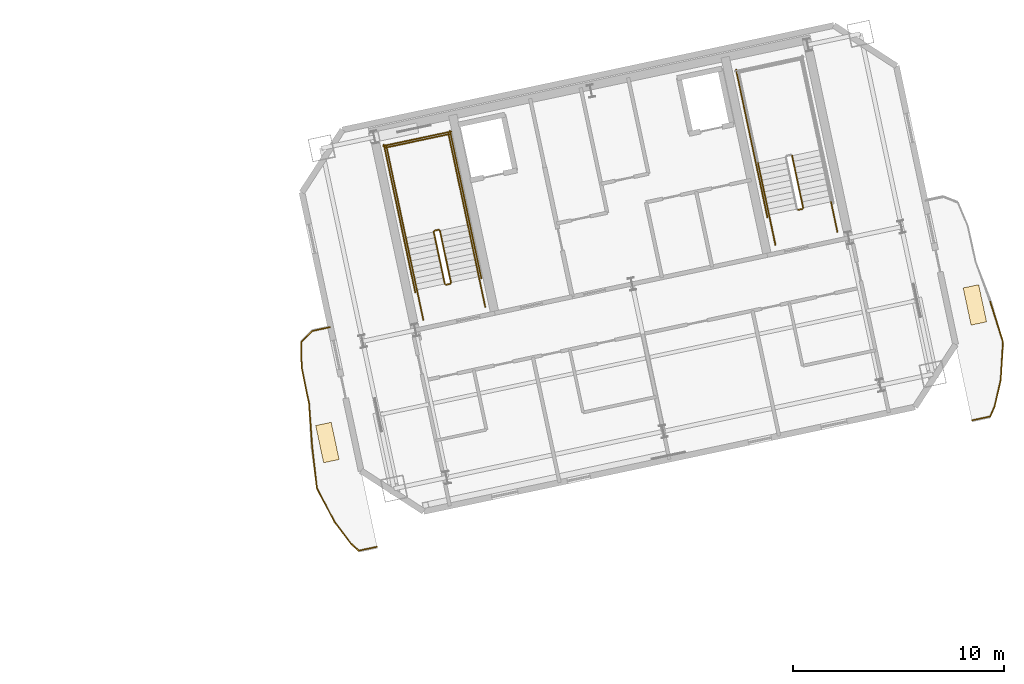
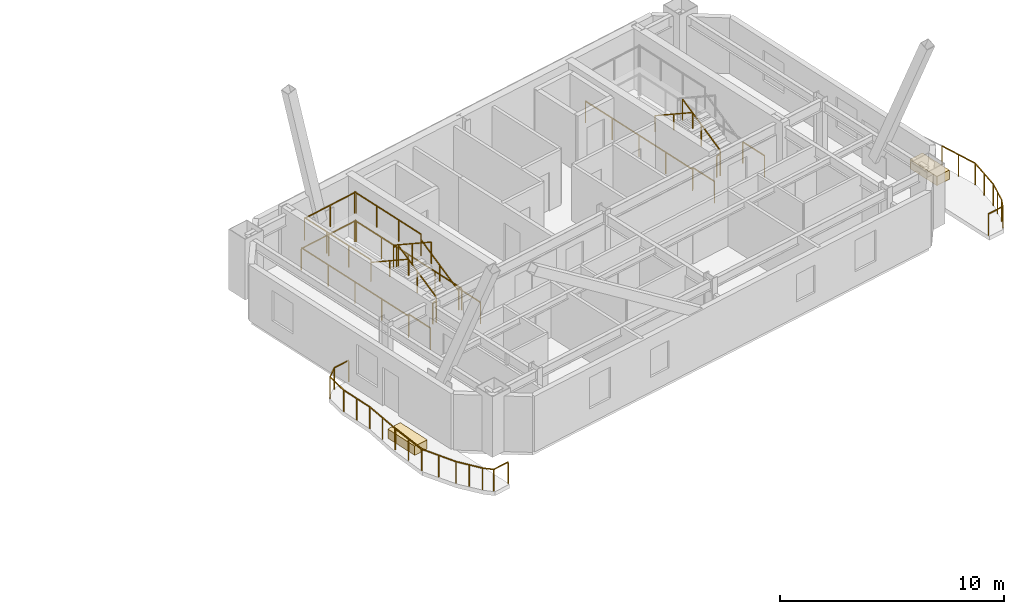
# One storey, part 12 of 13: 35 railings, 2 coverings.
"""IFC4 building model written with IfcOpenShell, lengths in metres."""

from ifc_helpers import new_model, si_unit, direction, frame, origin, origin_2d, place, context, subcontext, project, spatial, rectangle, extrude, material, layer, layer_set, type_object, element, save


model = new_model("IFC4")

# Units and contexts
model_context = context("Model", 3, precision=1e-05, world=origin(), true_north=direction((0.0, 1.0)))
body_context = subcontext(model_context, "Body", "Model", "MODEL_VIEW")
ifc_project = project(units=[si_unit("LENGTHUNIT", "METRE"), si_unit("AREAUNIT", "SQUARE_METRE"), si_unit("VOLUMEUNIT", "CUBIC_METRE"), si_unit("PLANEANGLEUNIT", "RADIAN"), si_unit("MASSUNIT", "GRAM", prefix="KILO")], contexts=[model_context])

# Site, building, storey
site_placement = place(None, origin())
site = spatial("IfcSite", under=ifc_project, at=site_placement, CompositionType="ELEMENT")
building_placement = place(site_placement, origin())
building = spatial("IfcBuilding", under=site, at=building_placement, Name="Haevon Station Towers", CompositionType="ELEMENT")
storey_placement = place(building_placement, frame((0.0, 0.0, 225.300048828125)))
storey = spatial("IfcBuildingStorey", under=building, at=storey_placement, Name="L62", CompositionType="ELEMENT", Elevation=225.300048828125)

# Railings
ifc_material_1 = material(Name="Steel S355", Category="steel")
railing_type_1 = type_object("IfcRailingType", Name="GRD-EXT1200", PredefinedType="GUARDRAIL", material=ifc_material_1)
railing_1_placement = place(storey_placement, frame((94.71142578125, 37.58251953125, 0.0)))
element("IfcRailing", 1, at=railing_1_placement, inside=storey, type_object=railing_type_1, Name="L62 Perimeter Guardrail 1", PredefinedType="GUARDRAIL", context=body_context, shape_type="SweptSolid", body=[
    extrude(rectangle(XDim=0.048095703125, YDim=0.048095703125, at=origin_2d()), frame((0.0, 0.0, 1.17578125), z_axis=(-0.977683060471, -0.210085299981, 0.0), x_axis=(0.210085299981, -0.977683060471, 0.0)), (0.0, 0.0, 1.0), 0.869140625),
    extrude(rectangle(XDim=0.0419921875, YDim=0.0419921875, at=origin_2d()), origin(), (0.0, 0.0, 1.0), 1.15185546875),
    extrude(rectangle(XDim=0.0419921875, YDim=0.0419921875, at=origin_2d()), frame((-0.849853515625, -0.1826171875, 0.0)), (0.0, 0.0, 1.0), 1.15185546875),
])
railing_2_placement = place(storey_placement, frame((93.861572265625, 37.39990234375, 0.0)))
element("IfcRailing", 2, at=railing_2_placement, inside=storey, type_object=railing_type_1, Name="L62 Perimeter Guardrail 2", PredefinedType="GUARDRAIL", context=body_context, shape_type="SweptSolid", body=[
    extrude(rectangle(XDim=0.048095703125, YDim=0.048095703125, at=origin_2d()), frame((0.0, 0.0, 1.17578125), z_axis=(-0.700012319638, -0.714130766985, 0.0), x_axis=(0.714130766985, -0.700012319638, 0.0)), (0.0, 0.0, 1.0), 0.74365234375),
    extrude(rectangle(XDim=0.0419921875, YDim=0.0419921875, at=origin_2d()), origin(), (0.0, 0.0, 1.0), 1.15185546875),
    extrude(rectangle(XDim=0.0419921875, YDim=0.0419921875, at=origin_2d()), frame((-0.5205078125, -0.531005859375, 0.0)), (0.0, 0.0, 1.0), 1.15185546875),
])
railing_3_placement = place(storey_placement, frame((93.341064453125, 36.868896484375, 0.0)))
element("IfcRailing", 3, at=railing_3_placement, inside=storey, type_object=railing_type_1, Name="L62 Perimeter Guardrail 3", PredefinedType="GUARDRAIL", context=body_context, shape_type="SweptSolid", body=[
    extrude(rectangle(XDim=0.048095703125, YDim=0.048095703125, at=origin_2d()), frame((0.0, 0.0, 1.17578125), z_axis=(0.018435710778, -0.999830047842, 0.0), x_axis=(0.999830047842, 0.018435710778, 0.0)), (0.0, 0.0, 1.0), 1.19189453125),
    extrude(rectangle(XDim=0.0419921875, YDim=0.0419921875, at=origin_2d()), origin(), (0.0, 0.0, 1.0), 1.15185546875),
    extrude(rectangle(XDim=0.0419921875, YDim=0.0419921875, at=origin_2d()), frame((0.02197265625, -1.191650390625, 0.0)), (0.0, 0.0, 1.0), 1.15185546875),
])
railing_4_placement = place(storey_placement, frame((93.363037109375, 35.67724609375, 0.0)))
element("IfcRailing", 4, at=railing_4_placement, inside=storey, type_object=railing_type_1, Name="L62 Perimeter Guardrail 4", PredefinedType="GUARDRAIL", context=body_context, shape_type="SweptSolid", body=[
    extrude(rectangle(XDim=0.048095703125, YDim=0.048095703125, at=origin_2d()), frame((0.0, 0.0, 1.17578125), z_axis=(0.20072790539, -0.979647032353, 0.0), x_axis=(0.979647032353, 0.20072790539, 0.0)), (0.0, 0.0, 1.0), 1.750244140625),
    extrude(rectangle(XDim=0.0419921875, YDim=0.0419921875, at=origin_2d()), origin(), (0.0, 0.0, 1.0), 1.15185546875),
    extrude(rectangle(XDim=0.0419921875, YDim=0.0419921875, at=origin_2d()), frame((0.17578125, -0.857421875, 0.0)), (0.0, 0.0, 1.0), 1.15185546875),
    extrude(rectangle(XDim=0.0419921875, YDim=0.0419921875, at=origin_2d()), frame((0.351318359375, -1.714599609375, 0.0)), (0.0, 0.0, 1.0), 1.15185546875),
])
railing_5_placement = place(storey_placement, frame((93.71435546875, 33.962646484375, 0.0)))
element("IfcRailing", 5, at=railing_5_placement, inside=storey, type_object=railing_type_1, Name="L62 Perimeter Guardrail 5", PredefinedType="GUARDRAIL", context=body_context, shape_type="SweptSolid", body=[
    extrude(rectangle(XDim=0.048095703125, YDim=0.048095703125, at=origin_2d()), frame((0.0, 0.0, 1.17578125), z_axis=(0.072603881336, -0.997360855666, 0.0), x_axis=(0.997360855666, 0.072603881336, 0.0)), (0.0, 0.0, 1.0), 2.007568359375),
    extrude(rectangle(XDim=0.0419921875, YDim=0.0419921875, at=origin_2d()), origin(), (0.0, 0.0, 1.0), 1.15185546875),
    extrude(rectangle(XDim=0.0419921875, YDim=0.0419921875, at=origin_2d()), frame((0.07275390625, -1.0009765625, 0.0)), (0.0, 0.0, 1.0), 1.15185546875),
    extrude(rectangle(XDim=0.0419921875, YDim=0.0419921875, at=origin_2d()), frame((0.145751953125, -2.002197265625, 0.0)), (0.0, 0.0, 1.0), 1.15185546875),
])
railing_6_placement = place(storey_placement, frame((93.860107421875, 31.96044921875, 0.0)))
element("IfcRailing", 6, at=railing_6_placement, inside=storey, type_object=railing_type_1, Name="L62 Perimeter Guardrail 6", PredefinedType="GUARDRAIL", context=body_context, shape_type="SweptSolid", body=[
    extrude(rectangle(XDim=0.048095703125, YDim=0.048095703125, at=origin_2d()), frame((0.0, 0.0, 1.17578125), z_axis=(0.111367614102, -0.993779278577, 0.0), x_axis=(0.993779278577, 0.111367614102, 0.0)), (0.0, 0.0, 1.0), 2.003662109375),
    extrude(rectangle(XDim=0.0419921875, YDim=0.0419921875, at=origin_2d()), origin(), (0.0, 0.0, 1.0), 1.15185546875),
    extrude(rectangle(XDim=0.0419921875, YDim=0.0419921875, at=origin_2d()), frame((0.111572265625, -0.99560546875, 0.0)), (0.0, 0.0, 1.0), 1.15185546875),
    extrude(rectangle(XDim=0.0419921875, YDim=0.0419921875, at=origin_2d()), frame((0.22314453125, -1.9912109375, 0.0)), (0.0, 0.0, 1.0), 1.15185546875),
])
railing_7_placement = place(storey_placement, frame((94.083251953125, 29.96923828125, 0.0)))
element("IfcRailing", 7, at=railing_7_placement, inside=storey, type_object=railing_type_1, Name="L62 Perimeter Guardrail 7", PredefinedType="GUARDRAIL", context=body_context, shape_type="SweptSolid", body=[
    extrude(rectangle(XDim=0.048095703125, YDim=0.048095703125, at=origin_2d()), frame((0.0, 0.0, 1.17578125), z_axis=(0.460970518106, -0.887415450303, 0.0), x_axis=(0.887415450303, 0.460970518106, 0.0)), (0.0, 0.0, 1.0), 1.810302734375),
    extrude(rectangle(XDim=0.0419921875, YDim=0.0419921875, at=origin_2d()), origin(), (0.0, 0.0, 1.0), 1.15185546875),
    extrude(rectangle(XDim=0.0419921875, YDim=0.0419921875, at=origin_2d()), frame((0.417236328125, -0.80322265625, 0.0)), (0.0, 0.0, 1.0), 1.15185546875),
    extrude(rectangle(XDim=0.0419921875, YDim=0.0419921875, at=origin_2d()), frame((0.83447265625, -1.6064453125, 0.0)), (0.0, 0.0, 1.0), 1.15185546875),
])
railing_8_placement = place(storey_placement, frame((94.917724609375, 28.36279296875, 0.0)))
element("IfcRailing", 8, at=railing_8_placement, inside=storey, type_object=railing_type_1, Name="L62 Perimeter Guardrail 8", PredefinedType="GUARDRAIL", context=body_context, shape_type="SweptSolid", body=[
    extrude(rectangle(XDim=0.048095703125, YDim=0.048095703125, at=origin_2d()), frame((0.0, 0.0, 1.17578125), z_axis=(0.602477349531, -0.798135980458, 0.0), x_axis=(0.798135980458, 0.602477349531, 0.0)), (0.0, 0.0, 1.0), 1.29150390625),
    extrude(rectangle(XDim=0.0419921875, YDim=0.0419921875, at=origin_2d()), origin(), (0.0, 0.0, 1.0), 1.15185546875),
    extrude(rectangle(XDim=0.0419921875, YDim=0.0419921875, at=origin_2d()), frame((0.38916015625, -0.515380859375, 0.0)), (0.0, 0.0, 1.0), 1.15185546875),
    extrude(rectangle(XDim=0.0419921875, YDim=0.0419921875, at=origin_2d()), frame((0.778076171875, -1.03076171875, 0.0)), (0.0, 0.0, 1.0), 1.15185546875),
])
railing_9_placement = place(storey_placement, frame((95.69580078125, 27.33203125, 0.0)))
element("IfcRailing", 9, at=railing_9_placement, inside=storey, type_object=railing_type_1, Name="L62 Perimeter Guardrail 9", PredefinedType="GUARDRAIL", context=body_context, shape_type="SweptSolid", body=[
    extrude(rectangle(XDim=0.048095703125, YDim=0.048095703125, at=origin_2d()), frame((0.0, 0.0, 1.17578125), z_axis=(0.743341898555, -0.668911669694, 0.0), x_axis=(0.668911669694, 0.743341898555, 0.0)), (0.0, 0.0, 1.0), 0.50830078125),
    extrude(rectangle(XDim=0.0419921875, YDim=0.0419921875, at=origin_2d()), origin(), (0.0, 0.0, 1.0), 1.15185546875),
    extrude(rectangle(XDim=0.0419921875, YDim=0.0419921875, at=origin_2d()), frame((0.3779296875, -0.340087890625, 0.0)), (0.0, 0.0, 1.0), 1.15185546875),
])
railing_10_placement = place(storey_placement, frame((96.07373046875, 26.991943359375, 0.0)))
element("IfcRailing", 10, at=railing_10_placement, inside=storey, type_object=railing_type_1, Name="L62 Perimeter Guardrail 10", PredefinedType="GUARDRAIL", context=body_context, shape_type="SweptSolid", body=[
    extrude(rectangle(XDim=0.048095703125, YDim=0.048095703125, at=origin_2d()), frame((0.0, 0.0, 1.17578125), z_axis=(0.978588498747, 0.205826504901, 0.0), x_axis=(-0.205826504901, 0.978588498747, 0.0)), (0.0, 0.0, 1.0), 0.869384765625),
    extrude(rectangle(XDim=0.0419921875, YDim=0.0419921875, at=origin_2d()), origin(), (0.0, 0.0, 1.0), 1.15185546875),
    extrude(rectangle(XDim=0.0419921875, YDim=0.0419921875, at=origin_2d()), frame((0.850830078125, 0.178955078125, 0.0)), (0.0, 0.0, 1.0), 1.15185546875),
])
railing_11_placement = place(storey_placement, frame((125.14111328125, 33.16845703125, 0.0)))
element("IfcRailing", 11, at=railing_11_placement, inside=storey, type_object=railing_type_1, Name="L62 Perimeter Guardrail 1", PredefinedType="GUARDRAIL", context=body_context, shape_type="SweptSolid", body=[
    extrude(rectangle(XDim=0.048095703125, YDim=0.048095703125, at=origin_2d()), frame((0.0, 0.0, 1.17578125), z_axis=(0.977683060471, 0.210085299981, 0.0), x_axis=(-0.210085299981, 0.977683060471, 0.0)), (0.0, 0.0, 1.0), 0.869140625),
    extrude(rectangle(XDim=0.0419921875, YDim=0.0419921875, at=origin_2d()), origin(), (0.0, 0.0, 1.0), 1.15185546875),
    extrude(rectangle(XDim=0.0419921875, YDim=0.0419921875, at=origin_2d()), frame((0.849853515625, 0.1826171875, 0.0)), (0.0, 0.0, 1.0), 1.15185546875),
])
railing_12_placement = place(storey_placement, frame((125.990966796875, 33.35107421875, 0.0)))
element("IfcRailing", 12, at=railing_12_placement, inside=storey, type_object=railing_type_1, Name="L62 Perimeter Guardrail 2", PredefinedType="GUARDRAIL", context=body_context, shape_type="SweptSolid", body=[
    extrude(rectangle(XDim=0.048095703125, YDim=0.048095703125, at=origin_2d()), frame((0.0, 0.0, 1.17578125), z_axis=(0.407207493805, 0.913335675964, 0.0), x_axis=(-0.913335675964, 0.407207493805, 0.0)), (0.0, 0.0, 1.0), 0.50830078125),
    extrude(rectangle(XDim=0.0419921875, YDim=0.0419921875, at=origin_2d()), origin(), (0.0, 0.0, 1.0), 1.15185546875),
    extrude(rectangle(XDim=0.0419921875, YDim=0.0419921875, at=origin_2d()), frame((0.20703125, 0.46435546875, 0.0)), (0.0, 0.0, 1.0), 1.15185546875),
])
railing_13_placement = place(storey_placement, frame((126.197998046875, 33.8154296875, 0.0)))
element("IfcRailing", 13, at=railing_13_placement, inside=storey, type_object=railing_type_1, Name="L62 Perimeter Guardrail 3", PredefinedType="GUARDRAIL", context=body_context, shape_type="SweptSolid", body=[
    extrude(rectangle(XDim=0.048095703125, YDim=0.048095703125, at=origin_2d()), frame((0.0, 0.0, 1.17578125), z_axis=(0.225729273284, 0.974190071384, 0.0), x_axis=(-0.974190071384, 0.225729273284, 0.0)), (0.0, 0.0, 1.0), 1.29150390625),
    extrude(rectangle(XDim=0.0419921875, YDim=0.0419921875, at=origin_2d()), origin(), (0.0, 0.0, 1.0), 1.15185546875),
    extrude(rectangle(XDim=0.0419921875, YDim=0.0419921875, at=origin_2d()), frame((0.145751953125, 0.62890625, 0.0)), (0.0, 0.0, 1.0), 1.15185546875),
    extrude(rectangle(XDim=0.0419921875, YDim=0.0419921875, at=origin_2d()), frame((0.29150390625, 1.258056640625, 0.0)), (0.0, 0.0, 1.0), 1.15185546875),
])
railing_14_placement = place(storey_placement, frame((126.489501953125, 35.073486328125, 0.0)))
element("IfcRailing", 14, at=railing_14_placement, inside=storey, type_object=railing_type_1, Name="L62 Perimeter Guardrail 4", PredefinedType="GUARDRAIL", context=body_context, shape_type="SweptSolid", body=[
    extrude(rectangle(XDim=0.048095703125, YDim=0.048095703125, at=origin_2d()), frame((0.0, 0.0, 1.17578125), z_axis=(0.060144905, 0.99818965653, 0.0), x_axis=(-0.99818965653, 0.060144905, 0.0)), (0.0, 0.0, 1.0), 1.810302734375),
    extrude(rectangle(XDim=0.0419921875, YDim=0.0419921875, at=origin_2d()), origin(), (0.0, 0.0, 1.0), 1.15185546875),
    extrude(rectangle(XDim=0.0419921875, YDim=0.0419921875, at=origin_2d()), frame((0.054443359375, 0.903564453125, 0.0)), (0.0, 0.0, 1.0), 1.15185546875),
    extrude(rectangle(XDim=0.0419921875, YDim=0.0419921875, at=origin_2d()), frame((0.10888671875, 1.80712890625, 0.0)), (0.0, 0.0, 1.0), 1.15185546875),
])
railing_15_placement = place(storey_placement, frame((126.598388671875, 36.880615234375, 0.0)))
element("IfcRailing", 15, at=railing_15_placement, inside=storey, type_object=railing_type_1, Name="L62 Perimeter Guardrail 5", PredefinedType="GUARDRAIL", context=body_context, shape_type="SweptSolid", body=[
    extrude(rectangle(XDim=0.048095703125, YDim=0.048095703125, at=origin_2d()), frame((0.0, 0.0, 1.17578125), z_axis=(-0.302449100455, 0.953165537372, 0.0), x_axis=(-0.953165537372, -0.302449100455, 0.0)), (0.0, 0.0, 1.0), 2.00341796875),
    extrude(rectangle(XDim=0.0419921875, YDim=0.0419921875, at=origin_2d()), origin(), (0.0, 0.0, 1.0), 1.15185546875),
    extrude(rectangle(XDim=0.0419921875, YDim=0.0419921875, at=origin_2d()), frame((-0.302978515625, 0.954833984375, 0.0)), (0.0, 0.0, 1.0), 1.15185546875),
    extrude(rectangle(XDim=0.0419921875, YDim=0.0419921875, at=origin_2d()), frame((-0.60595703125, 1.90966796875, 0.0)), (0.0, 0.0, 1.0), 1.15185546875),
])
railing_type_2 = type_object("IfcRailingType", Name="GRD-STR1200", PredefinedType="GUARDRAIL", material=ifc_material_1)
railing_16_placement = place(storey_placement, frame((100.44140625, 39.69287109375, 0.1650390625)))
element("IfcRailing", 16, at=railing_16_placement, inside=storey, type_object=railing_type_2, Name="L62 ST3 Stair Guard 1", PredefinedType="GUARDRAIL", context=body_context, shape_type="SweptSolid", body=[
    extrude(rectangle(XDim=0.048095703125, YDim=0.048095703125, at=origin_2d()), frame((0.0, 0.0, 1.17578125), z_axis=(-0.179128856099, 0.842723639875, 0.507670877349), x_axis=(-0.978147030254, -0.207914374695, 0.0)), (0.0, 0.0, 1.0), 2.9248046875),
    extrude(rectangle(XDim=0.0419921875, YDim=0.0419921875, at=origin_2d()), origin(), (0.0, 0.0, 1.0), 1.15185546875),
    extrude(rectangle(XDim=0.0419921875, YDim=0.0419921875, at=origin_2d()), frame((-0.261962890625, 1.232421875, 0.742431640625)), (0.0, 0.0, 1.0), 1.15185546875),
    extrude(rectangle(XDim=0.0419921875, YDim=0.0419921875, at=origin_2d()), frame((-0.52392578125, 2.46484375, 1.48486328125)), (0.0, 0.0, 1.0), 1.15185546875),
])
railing_17_placement = place(storey_placement, frame((99.858154296875, 42.1962890625, 1.64990234375)))
element("IfcRailing", 17, at=railing_17_placement, inside=storey, type_object=railing_type_2, Name="L62 ST3 Stair Guard 2", PredefinedType="GUARDRAIL", context=body_context, shape_type="SweptSolid", body=[
    extrude(rectangle(XDim=0.048095703125, YDim=0.048095703125, at=origin_2d()), frame((0.0, 0.0, 1.17578125), z_axis=(-0.977962931203, -0.208778603291, 0.0), x_axis=(0.208778603291, -0.977962931203, 0.0)), (0.0, 0.0, 1.0), 0.199951171875),
    extrude(rectangle(XDim=0.0419921875, YDim=0.0419921875, at=origin_2d()), origin(), (0.0, 0.0, 1.0), 1.15185546875),
    extrude(rectangle(XDim=0.0419921875, YDim=0.0419921875, at=origin_2d()), frame((-0.195556640625, -0.041748046875, 0.0)), (0.0, 0.0, 1.0), 1.15185546875),
])
railing_18_placement = place(storey_placement, frame((101.238037109375, 42.4384765625, 1.64990234375)))
element("IfcRailing", 18, at=railing_18_placement, inside=storey, type_object=railing_type_2, Name="L62 ST3 Stair Guard 3", PredefinedType="GUARDRAIL", context=body_context, shape_type="SweptSolid", body=[
    extrude(rectangle(XDim=0.048095703125, YDim=0.048095703125, at=origin_2d()), frame((0.0, 0.0, 1.17578125), z_axis=(-0.20794048909, 0.978141479029, 0.0), x_axis=(-0.978141479029, -0.20794048909, 0.0)), (0.0, 0.0, 1.0), 4.429931640625),
    extrude(rectangle(XDim=0.0419921875, YDim=0.0419921875, at=origin_2d()), origin(), (0.0, 0.0, 1.0), 1.15185546875),
    extrude(rectangle(XDim=0.0419921875, YDim=0.0419921875, at=origin_2d()), frame((-0.30712890625, 1.4443359375, 0.0)), (0.0, 0.0, 1.0), 1.15185546875),
    extrude(rectangle(XDim=0.0419921875, YDim=0.0419921875, at=origin_2d()), frame((-0.614013671875, 2.888671875, 0.0)), (0.0, 0.0, 1.0), 1.15185546875),
    extrude(rectangle(XDim=0.0419921875, YDim=0.0419921875, at=origin_2d()), frame((-0.921142578125, 4.3330078125, 0.0)), (0.0, 0.0, 1.0), 1.15185546875),
])
railing_19_placement = place(storey_placement, frame((98.303466796875, 41.814697265625, 1.64990234375)))
element("IfcRailing", 19, at=railing_19_placement, inside=storey, type_object=railing_type_2, Name="L62 ST3 Stair Guard 4", PredefinedType="GUARDRAIL", context=body_context, shape_type="SweptSolid", body=[
    extrude(rectangle(XDim=0.048095703125, YDim=0.048095703125, at=origin_2d()), frame((0.0, 0.0, 1.17578125), z_axis=(-0.207876551949, 0.978155069071, 0.0), x_axis=(-0.978155069071, -0.207876551949, 0.0)), (0.0, 0.0, 1.0), 4.429931640625),
    extrude(rectangle(XDim=0.0419921875, YDim=0.0419921875, at=origin_2d()), origin(), (0.0, 0.0, 1.0), 1.15185546875),
    extrude(rectangle(XDim=0.0419921875, YDim=0.0419921875, at=origin_2d()), frame((-0.306884765625, 1.4443359375, 0.0)), (0.0, 0.0, 1.0), 1.15185546875),
    extrude(rectangle(XDim=0.0419921875, YDim=0.0419921875, at=origin_2d()), frame((-0.614013671875, 2.888916015625, 0.0)), (0.0, 0.0, 1.0), 1.15185546875),
    extrude(rectangle(XDim=0.0419921875, YDim=0.0419921875, at=origin_2d()), frame((-0.9208984375, 4.333251953125, 0.0)), (0.0, 0.0, 1.0), 1.15185546875),
])
railing_20_placement = place(storey_placement, frame((100.376220703125, 46.733154296875, 1.64990234375)))
element("IfcRailing", 20, at=railing_20_placement, inside=storey, type_object=railing_type_2, Name="L62 ST3 Stair Guard 5", PredefinedType="GUARDRAIL", context=body_context, shape_type="SweptSolid", body=[
    extrude(rectangle(XDim=0.048095703125, YDim=0.048095703125, at=origin_2d()), frame((0.0, 0.0, 1.17578125), z_axis=(-0.978146839882, -0.207915270313, 0.0), x_axis=(0.207915270313, -0.978146839882, 0.0)), (0.0, 0.0, 1.0), 3.099853515625),
    extrude(rectangle(XDim=0.0419921875, YDim=0.0419921875, at=origin_2d()), origin(), (0.0, 0.0, 1.0), 1.15185546875),
    extrude(rectangle(XDim=0.0419921875, YDim=0.0419921875, at=origin_2d()), frame((-1.51611328125, -0.322265625, 0.0)), (0.0, 0.0, 1.0), 1.15185546875),
    extrude(rectangle(XDim=0.0419921875, YDim=0.0419921875, at=origin_2d()), frame((-3.0322265625, -0.64453125, 0.0)), (0.0, 0.0, 1.0), 1.15185546875),
])
railing_21_placement = place(storey_placement, frame((99.6240234375, 42.09521484375, 1.81494140625)))
element("IfcRailing", 21, at=railing_21_placement, inside=storey, type_object=railing_type_2, Name="L62 ST3 Stair Guard 6", PredefinedType="GUARDRAIL", context=body_context, shape_type="SweptSolid", body=[
    extrude(rectangle(XDim=0.048095703125, YDim=0.048095703125, at=origin_2d()), frame((0.0, 0.0, 1.17578125), z_axis=(0.179121265225, -0.842687928106, 0.507732831485), x_axis=(0.978147030254, 0.207914374695, 0.0)), (0.0, 0.0, 1.0), 2.925048828125),
    extrude(rectangle(XDim=0.0419921875, YDim=0.0419921875, at=origin_2d()), origin(), (0.0, 0.0, 1.0), 1.15185546875),
    extrude(rectangle(XDim=0.0419921875, YDim=0.0419921875, at=origin_2d()), frame((0.261962890625, -1.232421875, 0.74267578125)), (0.0, 0.0, 1.0), 1.15185546875),
    extrude(rectangle(XDim=0.0419921875, YDim=0.0419921875, at=origin_2d()), frame((0.52392578125, -2.46484375, 1.485107421875)), (0.0, 0.0, 1.0), 1.15185546875),
])
railing_22_placement = place(storey_placement, frame((100.40283203125, 39.633544921875, 0.0)))
element("IfcRailing", 22, at=railing_22_placement, inside=storey, type_object=railing_type_2, Name="L62 ST3 Stair Guard 7", PredefinedType="GUARDRAIL", context=body_context, shape_type="SweptSolid", body=[
    extrude(rectangle(XDim=0.048095703125, YDim=0.048095703125, at=origin_2d()), frame((0.0, 0.0, 1.17578125), z_axis=(-0.977962931203, -0.208778603291, 0.0), x_axis=(0.208778603291, -0.977962931203, 0.0)), (0.0, 0.0, 1.0), 0.199951171875),
    extrude(rectangle(XDim=0.0419921875, YDim=0.0419921875, at=origin_2d()), origin(), (0.0, 0.0, 1.0), 1.15185546875),
    extrude(rectangle(XDim=0.0419921875, YDim=0.0419921875, at=origin_2d()), frame((-0.195556640625, -0.041748046875, 0.0)), (0.0, 0.0, 1.0), 1.15185546875),
])
for number, where, name in (
    (23, (102.0634765625, 38.55517578125, 0.0), "L62 ST3 Stair Guard 8"),
    (24, (99.12890625, 37.931396484375, 0.0), "L62 ST3 Stair Guard 9"),
):
    element("IfcRailing", number, at=place(storey_placement, frame(where)), inside=storey, type_object=railing_type_2, Name=name, PredefinedType="GUARDRAIL", context=body_context, shape_type="SweptSolid", body=[
        extrude(rectangle(XDim=0.048095703125, YDim=0.048095703125, at=origin_2d()), frame((0.0, 0.0, 1.17578125), z_axis=(-0.207953405961, 0.978138732977, 0.0), x_axis=(-0.978138732977, -0.207953405961, 0.0)), (0.0, 0.0, 1.0), 1.449951171875),
        extrude(rectangle(XDim=0.0419921875, YDim=0.0419921875, at=origin_2d()), origin(), (0.0, 0.0, 1.0), 1.15185546875),
        extrude(rectangle(XDim=0.0419921875, YDim=0.0419921875, at=origin_2d()), frame((-0.301513671875, 1.418212890625, 0.0)), (0.0, 0.0, 1.0), 1.15185546875),
    ])
railing_23_placement = place(storey_placement, frame((101.88037109375, 39.896484375, 0.0)))
element("IfcRailing", 25, at=railing_23_placement, inside=storey, type_object=railing_type_2, Name="L62 ST3 Stair Guard 10", PredefinedType="GUARDRAIL", context=body_context, shape_type="SweptSolid", body=[
    extrude(rectangle(XDim=0.048095703125, YDim=0.048095703125, at=origin_2d()), frame((0.0, 0.0, 1.17578125), z_axis=(-0.207882442208, 0.978153817261, 0.0), x_axis=(-0.978153817261, -0.207882442208, 0.0)), (0.0, 0.0, 1.0), 7.14990234375),
    extrude(rectangle(XDim=0.0419921875, YDim=0.0419921875, at=origin_2d()), origin(), (0.0, 0.0, 1.0), 1.15185546875),
    extrude(rectangle(XDim=0.0419921875, YDim=0.0419921875, at=origin_2d()), frame((-0.37158203125, 1.74853515625, 0.0)), (0.0, 0.0, 1.0), 1.15185546875),
    extrude(rectangle(XDim=0.0419921875, YDim=0.0419921875, at=origin_2d()), frame((-0.7431640625, 3.496826171875, 0.0)), (0.0, 0.0, 1.0), 1.15185546875),
    extrude(rectangle(XDim=0.0419921875, YDim=0.0419921875, at=origin_2d()), frame((-1.11474609375, 5.2451171875, 0.0)), (0.0, 0.0, 1.0), 1.15185546875),
    extrude(rectangle(XDim=0.0419921875, YDim=0.0419921875, at=origin_2d()), frame((-1.486328125, 6.99365234375, 0.0)), (0.0, 0.0, 1.0), 1.15185546875),
])
railing_24_placement = place(storey_placement, frame((98.75048828125, 39.231201171875, 0.0)))
element("IfcRailing", 26, at=railing_24_placement, inside=storey, type_object=railing_type_2, Name="L62 ST3 Stair Guard 11", PredefinedType="GUARDRAIL", context=body_context, shape_type="SweptSolid", body=[
    extrude(rectangle(XDim=0.048095703125, YDim=0.048095703125, at=origin_2d()), frame((0.0, 0.0, 1.17578125), z_axis=(-0.207915112487, 0.978146873429, 0.0), x_axis=(-0.978146873429, -0.207915112487, 0.0)), (0.0, 0.0, 1.0), 7.14990234375),
    extrude(rectangle(XDim=0.0419921875, YDim=0.0419921875, at=origin_2d()), origin(), (0.0, 0.0, 1.0), 1.15185546875),
    extrude(rectangle(XDim=0.0419921875, YDim=0.0419921875, at=origin_2d()), frame((-0.37158203125, 1.74853515625, 0.0)), (0.0, 0.0, 1.0), 1.15185546875),
    extrude(rectangle(XDim=0.0419921875, YDim=0.0419921875, at=origin_2d()), frame((-0.7431640625, 3.496826171875, 0.0)), (0.0, 0.0, 1.0), 1.15185546875),
    extrude(rectangle(XDim=0.0419921875, YDim=0.0419921875, at=origin_2d()), frame((-1.114990234375, 5.2451171875, 0.0)), (0.0, 0.0, 1.0), 1.15185546875),
    extrude(rectangle(XDim=0.0419921875, YDim=0.0419921875, at=origin_2d()), frame((-1.486572265625, 6.99365234375, 0.0)), (0.0, 0.0, 1.0), 1.15185546875),
])
railing_25_placement = place(storey_placement, frame((100.453125, 46.8515625, 0.0)))
element("IfcRailing", 27, at=railing_25_placement, inside=storey, type_object=railing_type_2, Name="L62 ST3 Stair Guard 12", PredefinedType="GUARDRAIL", context=body_context, shape_type="SweptSolid", body=[
    extrude(rectangle(XDim=0.048095703125, YDim=0.048095703125, at=origin_2d()), frame((0.0, 0.0, 1.17578125), z_axis=(-0.978150764849, -0.207896804268, 0.0), x_axis=(0.207896804268, -0.978150764849, 0.0)), (0.0, 0.0, 1.0), 3.2998046875),
    extrude(rectangle(XDim=0.0419921875, YDim=0.0419921875, at=origin_2d()), origin(), (0.0, 0.0, 1.0), 1.15185546875),
    extrude(rectangle(XDim=0.0419921875, YDim=0.0419921875, at=origin_2d()), frame((-1.61376953125, -0.343017578125, 0.0)), (0.0, 0.0, 1.0), 1.15185546875),
    extrude(rectangle(XDim=0.0419921875, YDim=0.0419921875, at=origin_2d()), frame((-3.227783203125, -0.68603515625, 0.0)), (0.0, 0.0, 1.0), 1.15185546875),
])
railing_26_placement = place(storey_placement, frame((117.128662109375, 43.23974609375, 0.1650390625)))
element("IfcRailing", 28, at=railing_26_placement, inside=storey, type_object=railing_type_2, Name="L62 ST4 Stair Guard 1", PredefinedType="GUARDRAIL", context=body_context, shape_type="SweptSolid", body=[
    extrude(rectangle(XDim=0.048095703125, YDim=0.048095703125, at=origin_2d()), frame((0.0, 0.0, 1.17578125), z_axis=(-0.179128856099, 0.842723639875, 0.507670877349), x_axis=(-0.978147030254, -0.207914374695, 0.0)), (0.0, 0.0, 1.0), 2.9248046875),
    extrude(rectangle(XDim=0.0419921875, YDim=0.0419921875, at=origin_2d()), origin(), (0.0, 0.0, 1.0), 1.15185546875),
    extrude(rectangle(XDim=0.0419921875, YDim=0.0419921875, at=origin_2d()), frame((-0.261962890625, 1.232421875, 0.742431640625)), (0.0, 0.0, 1.0), 1.15185546875),
    extrude(rectangle(XDim=0.0419921875, YDim=0.0419921875, at=origin_2d()), frame((-0.52392578125, 2.46484375, 1.48486328125)), (0.0, 0.0, 1.0), 1.15185546875),
])
railing_27_placement = place(storey_placement, frame((117.090087890625, 43.180419921875, 0.0)))
element("IfcRailing", 29, at=railing_27_placement, inside=storey, type_object=railing_type_2, Name="L62 ST4 Stair Guard 7", PredefinedType="GUARDRAIL", context=body_context, shape_type="SweptSolid", body=[
    extrude(rectangle(XDim=0.048095703125, YDim=0.048095703125, at=origin_2d()), frame((0.0, 0.0, 1.17578125), z_axis=(-0.978211583308, -0.207610448392, 0.0), x_axis=(0.207610448392, -0.978211583308, 0.0)), (0.0, 0.0, 1.0), 0.199951171875),
    extrude(rectangle(XDim=0.0419921875, YDim=0.0419921875, at=origin_2d()), origin(), (0.0, 0.0, 1.0), 1.15185546875),
    extrude(rectangle(XDim=0.0419921875, YDim=0.0419921875, at=origin_2d()), frame((-0.195556640625, -0.04150390625, 0.0)), (0.0, 0.0, 1.0), 1.15185546875),
])
for number, where, name in (
    (30, (118.75048828125, 42.10205078125, 0.0), "L62 ST4 Stair Guard 8"),
    (31, (115.816162109375, 41.478271484375, 0.0), "L62 ST4 Stair Guard 9"),
):
    element("IfcRailing", number, at=place(storey_placement, frame(where)), inside=storey, type_object=railing_type_2, Name=name, PredefinedType="GUARDRAIL", context=body_context, shape_type="SweptSolid", body=[
        extrude(rectangle(XDim=0.048095703125, YDim=0.048095703125, at=origin_2d()), frame((0.0, 0.0, 1.17578125), z_axis=(-0.207919161079, 0.978146012851, 0.0), x_axis=(-0.978146012851, -0.207919161079, 0.0)), (0.0, 0.0, 1.0), 1.4501953125),
        extrude(rectangle(XDim=0.0419921875, YDim=0.0419921875, at=origin_2d()), origin(), (0.0, 0.0, 1.0), 1.15185546875),
        extrude(rectangle(XDim=0.0419921875, YDim=0.0419921875, at=origin_2d()), frame((-0.301513671875, 1.41845703125, 0.0)), (0.0, 0.0, 1.0), 1.15185546875),
    ])
railing_28_placement = place(storey_placement, frame((115.4375, 42.778076171875, 0.0)))
element("IfcRailing", 32, at=railing_28_placement, inside=storey, type_object=railing_type_2, Name="L62 ST4 Stair Guard 11", PredefinedType="GUARDRAIL", context=body_context, shape_type="SweptSolid", body=[
    extrude(rectangle(XDim=0.048095703125, YDim=0.048095703125, at=origin_2d()), frame((0.0, 0.0, 1.17578125), z_axis=(-0.207882442208, 0.978153817261, 0.0), x_axis=(-0.978153817261, -0.207882442208, 0.0)), (0.0, 0.0, 1.0), 7.14990234375),
    extrude(rectangle(XDim=0.0419921875, YDim=0.0419921875, at=origin_2d()), origin(), (0.0, 0.0, 1.0), 1.15185546875),
    extrude(rectangle(XDim=0.0419921875, YDim=0.0419921875, at=origin_2d()), frame((-0.37158203125, 1.74853515625, 0.0)), (0.0, 0.0, 1.0), 1.15185546875),
    extrude(rectangle(XDim=0.0419921875, YDim=0.0419921875, at=origin_2d()), frame((-0.7431640625, 3.496826171875, 0.0)), (0.0, 0.0, 1.0), 1.15185546875),
    extrude(rectangle(XDim=0.0419921875, YDim=0.0419921875, at=origin_2d()), frame((-1.11474609375, 5.2451171875, 0.0)), (0.0, 0.0, 1.0), 1.15185546875),
    extrude(rectangle(XDim=0.0419921875, YDim=0.0419921875, at=origin_2d()), frame((-1.486328125, 6.99365234375, 0.0)), (0.0, 0.0, 1.0), 1.15185546875),
])
railing_type_3 = type_object("IfcRailingType", Name="HND-STR900", PredefinedType="HANDRAIL", material=ifc_material_1)
railing_29_placement = place(storey_placement, frame((101.761962890625, 39.973388671875, 0.1650390625)))
element("IfcRailing", 33, at=railing_29_placement, inside=storey, type_object=railing_type_3, Name="L62 ST3 Stair Handrail 1", PredefinedType="HANDRAIL", context=body_context, shape_type="SweptSolid", body=[
    extrude(rectangle(XDim=0.048095703125, YDim=0.048095703125, at=origin_2d()), frame((0.0, 0.0, 0.8759765625), z_axis=(-0.179116256339, 0.842747828638, 0.507635168246), x_axis=(-0.978151217824, -0.207894673017, 0.0)), (0.0, 0.0, 1.0), 2.925048828125),
    extrude(rectangle(XDim=0.0419921875, YDim=0.0419921875, at=origin_2d()), origin(), (0.0, 0.0, 1.0), 0.851806640625),
    extrude(rectangle(XDim=0.0419921875, YDim=0.0419921875, at=origin_2d()), frame((-0.261962890625, 1.232421875, 0.742431640625)), (0.0, 0.0, 1.0), 0.851806640625),
    extrude(rectangle(XDim=0.0419921875, YDim=0.0419921875, at=origin_2d()), frame((-0.52392578125, 2.465087890625, 1.48486328125)), (0.0, 0.0, 1.0), 0.851806640625),
])
railing_30_placement = place(storey_placement, frame((98.303466796875, 41.814697265625, 1.81494140625)))
element("IfcRailing", 34, at=railing_30_placement, inside=storey, type_object=railing_type_3, Name="L62 ST3 Stair Handrail 2", PredefinedType="HANDRAIL", context=body_context, shape_type="SweptSolid", body=[
    extrude(rectangle(XDim=0.048095703125, YDim=0.048095703125, at=origin_2d()), frame((0.0, 0.0, 0.8759765625), z_axis=(0.179108667068, -0.842712120868, 0.50769712105), x_axis=(0.978151217824, 0.207894673017, 0.0)), (0.0, 0.0, 1.0), 2.92529296875),
    extrude(rectangle(XDim=0.0419921875, YDim=0.0419921875, at=origin_2d()), origin(), (0.0, 0.0, 1.0), 0.851806640625),
    extrude(rectangle(XDim=0.0419921875, YDim=0.0419921875, at=origin_2d()), frame((0.261962890625, -1.232421875, 0.74267578125)), (0.0, 0.0, 1.0), 0.851806640625),
    extrude(rectangle(XDim=0.0419921875, YDim=0.0419921875, at=origin_2d()), frame((0.52392578125, -2.465087890625, 1.485107421875)), (0.0, 0.0, 1.0), 0.851806640625),
])
railing_31_placement = place(storey_placement, frame((114.99072265625, 45.361572265625, 1.81494140625)))
element("IfcRailing", 35, at=railing_31_placement, inside=storey, type_object=railing_type_3, Name="L62 ST4 Stair Handrail 2", PredefinedType="HANDRAIL", context=body_context, shape_type="SweptSolid", body=[
    extrude(rectangle(XDim=0.048095703125, YDim=0.048095703125, at=origin_2d()), frame((0.0, 0.0, 0.8759765625), z_axis=(0.179121265225, -0.842687928106, 0.507732831485), x_axis=(0.978147030254, 0.207914374695, 0.0)), (0.0, 0.0, 1.0), 2.925048828125),
    extrude(rectangle(XDim=0.0419921875, YDim=0.0419921875, at=origin_2d()), origin(), (0.0, 0.0, 1.0), 0.851806640625),
    extrude(rectangle(XDim=0.0419921875, YDim=0.0419921875, at=origin_2d()), frame((0.261962890625, -1.232421875, 0.74267578125)), (0.0, 0.0, 1.0), 0.851806640625),
    extrude(rectangle(XDim=0.0419921875, YDim=0.0419921875, at=origin_2d()), frame((0.52392578125, -2.46484375, 1.485107421875)), (0.0, 0.0, 1.0), 0.851806640625),
])

# Coverings
ifc_material_2 = material(Name="Architectural planter GRC", Category="concrete")
ifc_layer = layer(ifc_material_2, 0.550048828125)
ifc_layer_set = layer_set([ifc_layer], Name="Architectural planter GRC")
covering_type = type_object("IfcCoveringType", Name="PLN-GRC550", PredefinedType="MOLDING", material=ifc_layer_set)
for number, where, z_axis, x_axis, name in (
    (36, (94.585693359375, 32.11474609375, 0.0), (0.0, 0.0, 1.0), (0.978147600734, 0.207911690818, 0.0), "Tower 2 L62 Scalloped Balcony PLANTER"),
    (37, (125.266845703125, 38.63623046875, 0.0), (0.0, 0.0, 1.0), (0.978147600734, 0.207911690818, 0.0), "Tower 2 L62 Scalloped Balcony PLANTER"),
):
    element("IfcCovering", number, at=place(storey_placement, frame(where, z_axis=z_axis, x_axis=x_axis)), inside=storey, type_object=covering_type, Name=name, PredefinedType="MOLDING", context=body_context, shape_type="SweptSolid", body=[
        extrude(rectangle(XDim=0.75, YDim=1.800048828125, at=origin_2d()), origin(), (0.0, 0.0, 1.0), 0.5),
    ])

save(model, "model.ifc")
